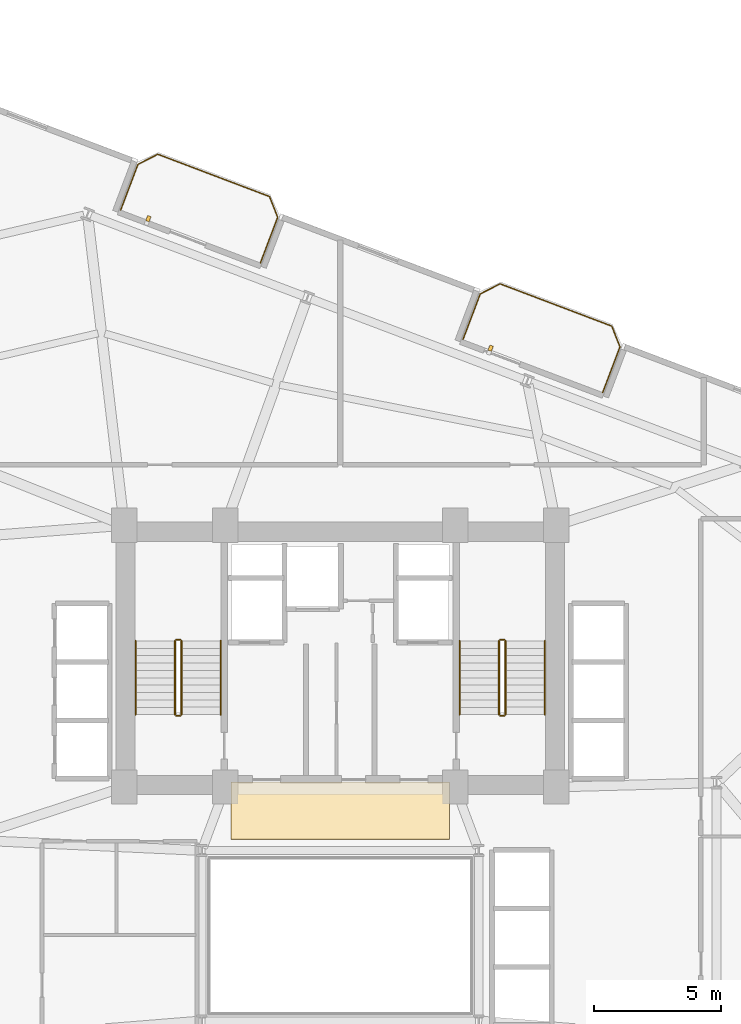
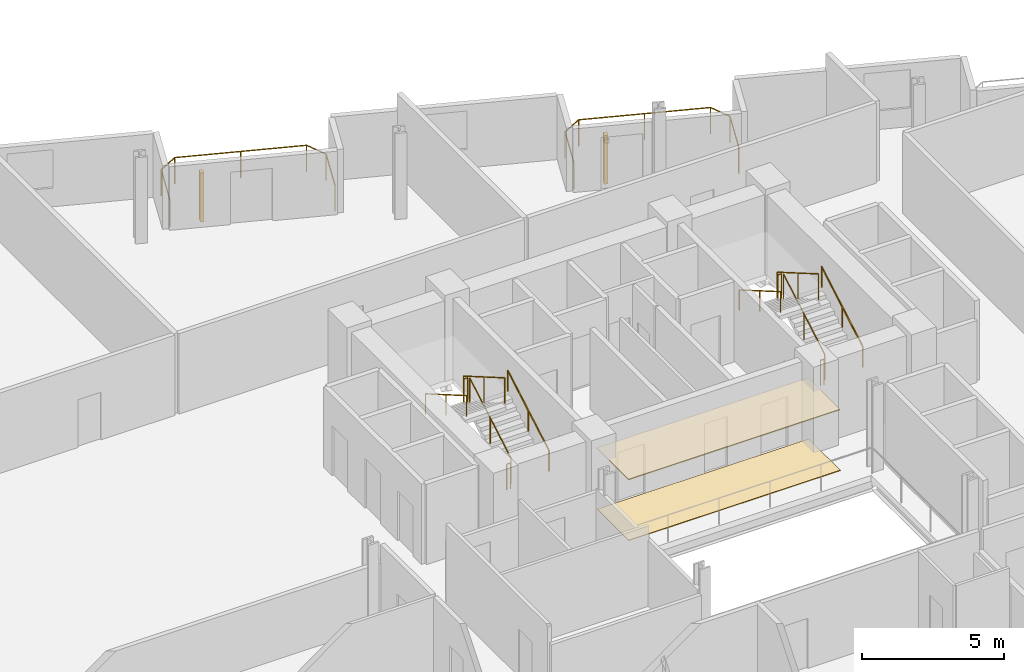
# One storey, part 24 of 25: 14 railings, 2 coverings, 2 shading devices.
"""IFC4 building model written with IfcOpenShell, lengths in metres."""

from ifc_helpers import new_model, si_unit, direction, frame, origin, origin_2d, place, context, subcontext, project, spatial, rectangle, circle, extrude, source, transform, mapped, material, layer, layer_set, type_object, element, save


model = new_model("IFC4")

# Units and contexts
model_context = context("Model", 3, precision=1e-05, world=origin(), true_north=direction((0.0, 1.0)))
body_context = subcontext(model_context, "Body", "Model", "MODEL_VIEW")
ifc_project = project(units=[si_unit("LENGTHUNIT", "METRE"), si_unit("AREAUNIT", "SQUARE_METRE"), si_unit("VOLUMEUNIT", "CUBIC_METRE"), si_unit("PLANEANGLEUNIT", "RADIAN"), si_unit("MASSUNIT", "GRAM", prefix="KILO")], contexts=[model_context])

# Site, building, storey
site_placement = place(None, origin())
site = spatial("IfcSite", under=ifc_project, at=site_placement, CompositionType="ELEMENT")
building_placement = place(site_placement, origin())
building = spatial("IfcBuilding", under=site, at=building_placement, Name="Varnelok Gate Tower", CompositionType="ELEMENT")
storey_placement = place(building_placement, frame((0.0, 0.0, 83.60009765625)))
storey = spatial("IfcBuildingStorey", under=building, at=storey_placement, Name="L20", CompositionType="ELEMENT", Elevation=83.60009765625)

# Railings
ifc_material_1 = material(Name="Low-E Laminated Double Glazing IGU", Category="glass")
railing_type_1 = type_object("IfcRailingType", Name="RL-BALC-1150", PredefinedType="BALUSTRADE", material=ifc_material_1)
railing_1_placement = place(storey_placement, frame((30.560302734375, 51.453125, 0.0)))
element("IfcRailing", 1, at=railing_1_placement, inside=storey, type_object=railing_type_1, Name="L20 North Terrace Balustrade 4", PredefinedType="BALUSTRADE", context=body_context, shape_type="SweptSolid", body=[
    extrude(circle(Radius=0.02392578125, at=origin_2d()), frame((0.0, 0.0, 1.1259765625), z_axis=(0.354006333352, 0.935243025073, 0.0), x_axis=(-0.935243025073, 0.354006333352, 0.0)), (0.0, 0.0, 1.0), 1.919921875),
    extrude(circle(Radius=0.02392578125, at=origin_2d()), frame((0.6796875, 1.795654296875, 1.1259765625), z_axis=(0.89078254773, 0.454429810487, 0.0), x_axis=(-0.454429810487, 0.89078254773, 0.0)), (0.0, 0.0, 1.0), 0.8779296875),
    extrude(circle(Radius=0.02392578125, at=origin_2d()), frame((1.461669921875, 2.194580078125, 1.1259765625), z_axis=(0.935223045203, -0.354059113314, 0.0), x_axis=(0.354059113314, 0.935223045203, 0.0)), (0.0, 0.0, 1.0), 4.699951171875),
    extrude(circle(Radius=0.02392578125, at=origin_2d()), frame((5.857177734375, 0.530517578125, 1.1259765625), z_axis=(0.366349384437, -0.930477365938, 0.0), x_axis=(0.930477365938, 0.366349384437, 0.0)), (0.0, 0.0, 1.0), 0.877685546875),
    extrude(circle(Radius=0.02392578125, at=origin_2d()), frame((6.1787109375, -0.2861328125, 1.1259765625), z_axis=(-0.354006333352, -0.935243025073, 0.0), x_axis=(0.935243025073, -0.354006333352, 0.0)), (0.0, 0.0, 1.0), 1.919921875),
    extrude(circle(Radius=0.02099609375, at=origin_2d()), origin(), (0.0, 0.0, 1.0), 1.101806640625),
    extrude(circle(Radius=0.02099609375, at=origin_2d()), frame((0.6796875, 1.795654296875, 0.0)), (0.0, 0.0, 1.0), 1.101806640625),
    extrude(circle(Radius=0.02099609375, at=origin_2d()), frame((1.461669921875, 2.194580078125, 0.0)), (0.0, 0.0, 1.0), 1.101806640625),
    extrude(circle(Radius=0.02099609375, at=origin_2d()), frame((3.659423828125, 1.362548828125, 0.0)), (0.0, 0.0, 1.0), 1.101806640625),
    extrude(circle(Radius=0.02099609375, at=origin_2d()), frame((5.857177734375, 0.530517578125, 0.0)), (0.0, 0.0, 1.0), 1.101806640625),
    extrude(circle(Radius=0.02099609375, at=origin_2d()), frame((6.1787109375, -0.2861328125, 0.0)), (0.0, 0.0, 1.0), 1.101806640625),
    extrude(circle(Radius=0.02099609375, at=origin_2d()), frame((5.4990234375, -2.081787109375, 0.0)), (0.0, 0.0, 1.0), 1.101806640625),
])
railing_2_placement = place(storey_placement, frame((44.02734375, 46.354736328125, 0.0)))
element("IfcRailing", 2, at=railing_2_placement, inside=storey, type_object=railing_type_1, Name="L20 North Terrace Balustrade 5", PredefinedType="BALUSTRADE", context=body_context, shape_type="SweptSolid", body=[
    extrude(circle(Radius=0.02392578125, at=origin_2d()), frame((0.0, 0.0, 1.1259765625), z_axis=(0.354117547856, 0.935200920819, 0.0), x_axis=(-0.935200920819, 0.354117547856, 0.0)), (0.0, 0.0, 1.0), 1.920166015625),
    extrude(circle(Radius=0.02392578125, at=origin_2d()), frame((0.679931640625, 1.795654296875, 1.1259765625), z_axis=(0.890725095116, 0.454542412686, 0.0), x_axis=(-0.454542412686, 0.890725095116, 0.0)), (0.0, 0.0, 1.0), 0.877685546875),
    extrude(circle(Radius=0.02392578125, at=origin_2d()), frame((1.461669921875, 2.194580078125, 1.1259765625), z_axis=(0.935223045203, -0.354059113314, 0.0), x_axis=(0.354059113314, 0.935223045203, 0.0)), (0.0, 0.0, 1.0), 4.699951171875),
    extrude(circle(Radius=0.02392578125, at=origin_2d()), frame((5.857177734375, 0.530517578125, 1.1259765625), z_axis=(0.366495340819, -0.93041988648, 0.0), x_axis=(0.93041988648, 0.366495340819, 0.0)), (0.0, 0.0, 1.0), 0.8779296875),
    extrude(circle(Radius=0.02392578125, at=origin_2d()), frame((6.178955078125, -0.286376953125, 1.1259765625), z_axis=(-0.354006333352, -0.935243025073, 0.0), x_axis=(0.935243025073, -0.354006333352, 0.0)), (0.0, 0.0, 1.0), 1.919921875),
    extrude(circle(Radius=0.02099609375, at=origin_2d()), origin(), (0.0, 0.0, 1.0), 1.101806640625),
    extrude(circle(Radius=0.02099609375, at=origin_2d()), frame((0.679931640625, 1.795654296875, 0.0)), (0.0, 0.0, 1.0), 1.101806640625),
    extrude(circle(Radius=0.02099609375, at=origin_2d()), frame((1.461669921875, 2.194580078125, 0.0)), (0.0, 0.0, 1.0), 1.101806640625),
    extrude(circle(Radius=0.02099609375, at=origin_2d()), frame((3.659423828125, 1.362548828125, 0.0)), (0.0, 0.0, 1.0), 1.101806640625),
    extrude(circle(Radius=0.02099609375, at=origin_2d()), frame((5.857177734375, 0.530517578125, 0.0)), (0.0, 0.0, 1.0), 1.101806640625),
    extrude(circle(Radius=0.02099609375, at=origin_2d()), frame((6.178955078125, -0.286376953125, 0.0)), (0.0, 0.0, 1.0), 1.101806640625),
    extrude(circle(Radius=0.02099609375, at=origin_2d()), frame((5.499267578125, -2.08203125, 0.0)), (0.0, 0.0, 1.0), 1.101806640625),
])
ifc_material_2 = material(Name="Brushed Stainless Steel AISI 316", Category="steel")
railing_type_2 = type_object("IfcRailingType", Name="RL-HANDRAIL-900", PredefinedType="HANDRAIL", material=ifc_material_2)
railing_3_placement = place(storey_placement, frame((34.5, 31.60009765625, 0.16796875)))
element("IfcRailing", 3, at=railing_3_placement, inside=storey, type_object=railing_type_2, Name="L20 ST-1 stair handrail 1", PredefinedType="HANDRAIL", context=body_context, shape_type="SweptSolid", body=[
    extrude(circle(Radius=0.02392578125, at=origin_2d()), frame((0.0, 0.0, 0.8759765625), z_axis=(0.0, 0.865038774852, 0.501705010941), x_axis=(-1.0, 0.0, 0.0)), (0.0, 0.0, 1.0), 3.352294921875),
    extrude(circle(Radius=0.02099609375, at=origin_2d()), origin(), (0.0, 0.0, 1.0), 0.851806640625),
    extrude(circle(Radius=0.02099609375, at=origin_2d()), frame((0.0, 1.449951171875, 0.8408203125)), (0.0, 0.0, 1.0), 0.851806640625),
    extrude(circle(Radius=0.02099609375, at=origin_2d()), frame((0.0, 2.89990234375, 1.681884765625)), (0.0, 0.0, 1.0), 0.851806640625),
])
railing_4_placement = place(storey_placement, frame((31.14990234375, 34.5, 2.01806640625)))
element("IfcRailing", 4, at=railing_4_placement, inside=storey, type_object=railing_type_2, Name="L20 ST-1 stair handrail 2", PredefinedType="HANDRAIL", context=body_context, shape_type="SweptSolid", body=[
    extrude(circle(Radius=0.02392578125, at=origin_2d()), frame((0.0, 0.0, 0.8759765625), z_axis=(0.0, -0.865038774852, 0.501705010941), x_axis=(1.0, 0.0, 0.0)), (0.0, 0.0, 1.0), 3.352294921875),
    extrude(circle(Radius=0.02099609375, at=origin_2d()), origin(), (0.0, 0.0, 1.0), 0.851806640625),
    extrude(circle(Radius=0.02099609375, at=origin_2d()), frame((0.0, -1.449951171875, 0.8408203125)), (0.0, 0.0, 1.0), 0.851806640625),
    extrude(circle(Radius=0.02099609375, at=origin_2d()), frame((0.0, -2.89990234375, 1.681884765625)), (0.0, 0.0, 1.0), 0.851806640625),
])
railing_5_placement = place(storey_placement, frame((47.25, 31.60009765625, 0.16796875)))
element("IfcRailing", 5, at=railing_5_placement, inside=storey, type_object=railing_type_2, Name="L20 ST-2 stair handrail 1", PredefinedType="HANDRAIL", context=body_context, shape_type="SweptSolid", body=[
    extrude(circle(Radius=0.02392578125, at=origin_2d()), frame((0.0, 0.0, 0.8759765625), z_axis=(0.0, 0.865038774852, 0.501705010941), x_axis=(-1.0, 0.0, 0.0)), (0.0, 0.0, 1.0), 3.352294921875),
    extrude(circle(Radius=0.02099609375, at=origin_2d()), origin(), (0.0, 0.0, 1.0), 0.851806640625),
    extrude(circle(Radius=0.02099609375, at=origin_2d()), frame((0.0, 1.449951171875, 0.8408203125)), (0.0, 0.0, 1.0), 0.851806640625),
    extrude(circle(Radius=0.02099609375, at=origin_2d()), frame((0.0, 2.89990234375, 1.681884765625)), (0.0, 0.0, 1.0), 0.851806640625),
])
railing_6_placement = place(storey_placement, frame((43.89990234375, 34.5, 2.01806640625)))
element("IfcRailing", 6, at=railing_6_placement, inside=storey, type_object=railing_type_2, Name="L20 ST-2 stair handrail 2", PredefinedType="HANDRAIL", context=body_context, shape_type="SweptSolid", body=[
    extrude(circle(Radius=0.02392578125, at=origin_2d()), frame((0.0, 0.0, 0.8759765625), z_axis=(0.0, -0.865038774852, 0.501705010941), x_axis=(1.0, 0.0, 0.0)), (0.0, 0.0, 1.0), 3.352294921875),
    extrude(circle(Radius=0.02099609375, at=origin_2d()), origin(), (0.0, 0.0, 1.0), 0.851806640625),
    extrude(circle(Radius=0.02099609375, at=origin_2d()), frame((0.0, -1.449951171875, 0.8408203125)), (0.0, 0.0, 1.0), 0.851806640625),
    extrude(circle(Radius=0.02099609375, at=origin_2d()), frame((0.0, -2.89990234375, 1.681884765625)), (0.0, 0.0, 1.0), 0.851806640625),
])
ifc_material_3 = material(Name="Galvanized Steel Grade S350GD", Category="steel")
railing_type_3 = type_object("IfcRailingType", Name="RL-STAIR-GUARD1120", PredefinedType="GUARDRAIL", material=ifc_material_3)
railing_7_placement = place(storey_placement, frame((32.949951171875, 31.60009765625, 0.16796875)))
element("IfcRailing", 7, at=railing_7_placement, inside=storey, type_object=railing_type_3, Name="L20 ST-1 stair guard 1", PredefinedType="GUARDRAIL", context=body_context, shape_type="SweptSolid", body=[
    extrude(circle(Radius=0.02392578125, at=origin_2d()), frame((0.0, 0.0, 1.09619140625), z_axis=(0.0, 0.865038774852, 0.501705010941), x_axis=(-1.0, 0.0, 0.0)), (0.0, 0.0, 1.0), 3.352294921875),
    extrude(circle(Radius=0.02099609375, at=origin_2d()), origin(), (0.0, 0.0, 1.0), 1.072021484375),
    extrude(circle(Radius=0.02099609375, at=origin_2d()), frame((0.0, 1.449951171875, 0.8408203125)), (0.0, 0.0, 1.0), 1.072021484375),
    extrude(circle(Radius=0.02099609375, at=origin_2d()), frame((0.0, 2.89990234375, 1.681884765625)), (0.0, 0.0, 1.0), 1.072021484375),
])
railing_8_placement = place(storey_placement, frame((32.89990234375, 34.550048828125, 1.849853515625)))
element("IfcRailing", 8, at=railing_8_placement, inside=storey, type_object=railing_type_3, Name="L20 ST-1 stair guard 2", PredefinedType="GUARDRAIL", context=body_context, shape_type="SweptSolid", body=[
    extrude(circle(Radius=0.02392578125, at=origin_2d()), frame((0.0, 0.0, 1.09619140625), z_axis=(-1.0, 0.0, 0.0), x_axis=(0.0, -1.0, 0.0)), (0.0, 0.0, 1.0), 0.14990234375),
    extrude(circle(Radius=0.02099609375, at=origin_2d()), origin(), (0.0, 0.0, 1.0), 1.072021484375),
    extrude(circle(Radius=0.02099609375, at=origin_2d()), frame((-0.14990234375, 0.0, 0.0)), (0.0, 0.0, 1.0), 1.072021484375),
])
railing_9_placement = place(storey_placement, frame((32.699951171875, 34.5, 2.01806640625)))
element("IfcRailing", 9, at=railing_9_placement, inside=storey, type_object=railing_type_3, Name="L20 ST-1 stair guard 3", PredefinedType="GUARDRAIL", context=body_context, shape_type="SweptSolid", body=[
    extrude(circle(Radius=0.02392578125, at=origin_2d()), frame((0.0, 0.0, 1.09619140625), z_axis=(0.0, -0.865038774852, 0.501705010941), x_axis=(1.0, 0.0, 0.0)), (0.0, 0.0, 1.0), 3.352294921875),
    extrude(circle(Radius=0.02099609375, at=origin_2d()), origin(), (0.0, 0.0, 1.0), 1.072021484375),
    extrude(circle(Radius=0.02099609375, at=origin_2d()), frame((0.0, -1.449951171875, 0.8408203125)), (0.0, 0.0, 1.0), 1.072021484375),
    extrude(circle(Radius=0.02099609375, at=origin_2d()), frame((0.0, -2.89990234375, 1.681884765625)), (0.0, 0.0, 1.0), 1.072021484375),
])
railing_10_placement = place(storey_placement, frame((32.89990234375, 31.550048828125, 0.0)))
element("IfcRailing", 10, at=railing_10_placement, inside=storey, type_object=railing_type_3, Name="L20 ST-1 stair guard 4", PredefinedType="GUARDRAIL", context=body_context, shape_type="SweptSolid", body=[
    extrude(circle(Radius=0.02392578125, at=origin_2d()), frame((0.0, 0.0, 1.09619140625), z_axis=(-1.0, 0.0, 0.0), x_axis=(0.0, -1.0, 0.0)), (0.0, 0.0, 1.0), 0.14990234375),
    extrude(circle(Radius=0.02099609375, at=origin_2d()), origin(), (0.0, 0.0, 1.0), 1.072021484375),
    extrude(circle(Radius=0.02099609375, at=origin_2d()), frame((-0.14990234375, 0.0, 0.0)), (0.0, 0.0, 1.0), 1.072021484375),
])
railing_11_placement = place(storey_placement, frame((45.699951171875, 31.60009765625, 0.16796875)))
element("IfcRailing", 11, at=railing_11_placement, inside=storey, type_object=railing_type_3, Name="L20 ST-2 stair guard 1", PredefinedType="GUARDRAIL", context=body_context, shape_type="SweptSolid", body=[
    extrude(circle(Radius=0.02392578125, at=origin_2d()), frame((0.0, 0.0, 1.09619140625), z_axis=(0.0, 0.865038774852, 0.501705010941), x_axis=(-1.0, 0.0, 0.0)), (0.0, 0.0, 1.0), 3.352294921875),
    extrude(circle(Radius=0.02099609375, at=origin_2d()), origin(), (0.0, 0.0, 1.0), 1.072021484375),
    extrude(circle(Radius=0.02099609375, at=origin_2d()), frame((0.0, 1.449951171875, 0.8408203125)), (0.0, 0.0, 1.0), 1.072021484375),
    extrude(circle(Radius=0.02099609375, at=origin_2d()), frame((0.0, 2.89990234375, 1.681884765625)), (0.0, 0.0, 1.0), 1.072021484375),
])
railing_12_placement = place(storey_placement, frame((45.64990234375, 34.550048828125, 1.849853515625)))
element("IfcRailing", 12, at=railing_12_placement, inside=storey, type_object=railing_type_3, Name="L20 ST-2 stair guard 2", PredefinedType="GUARDRAIL", context=body_context, shape_type="SweptSolid", body=[
    extrude(circle(Radius=0.02392578125, at=origin_2d()), frame((0.0, 0.0, 1.09619140625), z_axis=(-1.0, 0.0, 0.0), x_axis=(0.0, -1.0, 0.0)), (0.0, 0.0, 1.0), 0.14990234375),
    extrude(circle(Radius=0.02099609375, at=origin_2d()), origin(), (0.0, 0.0, 1.0), 1.072021484375),
    extrude(circle(Radius=0.02099609375, at=origin_2d()), frame((-0.14990234375, 0.0, 0.0)), (0.0, 0.0, 1.0), 1.072021484375),
])
railing_13_placement = place(storey_placement, frame((45.449951171875, 34.5, 2.01806640625)))
element("IfcRailing", 13, at=railing_13_placement, inside=storey, type_object=railing_type_3, Name="L20 ST-2 stair guard 3", PredefinedType="GUARDRAIL", context=body_context, shape_type="SweptSolid", body=[
    extrude(circle(Radius=0.02392578125, at=origin_2d()), frame((0.0, 0.0, 1.09619140625), z_axis=(0.0, -0.865038774852, 0.501705010941), x_axis=(1.0, 0.0, 0.0)), (0.0, 0.0, 1.0), 3.352294921875),
    extrude(circle(Radius=0.02099609375, at=origin_2d()), origin(), (0.0, 0.0, 1.0), 1.072021484375),
    extrude(circle(Radius=0.02099609375, at=origin_2d()), frame((0.0, -1.449951171875, 0.8408203125)), (0.0, 0.0, 1.0), 1.072021484375),
    extrude(circle(Radius=0.02099609375, at=origin_2d()), frame((0.0, -2.89990234375, 1.681884765625)), (0.0, 0.0, 1.0), 1.072021484375),
])
railing_14_placement = place(storey_placement, frame((45.64990234375, 31.550048828125, 0.0)))
element("IfcRailing", 14, at=railing_14_placement, inside=storey, type_object=railing_type_3, Name="L20 ST-2 stair guard 4", PredefinedType="GUARDRAIL", context=body_context, shape_type="SweptSolid", body=[
    extrude(circle(Radius=0.02392578125, at=origin_2d()), frame((0.0, 0.0, 1.09619140625), z_axis=(-1.0, 0.0, 0.0), x_axis=(0.0, -1.0, 0.0)), (0.0, 0.0, 1.0), 0.14990234375),
    extrude(circle(Radius=0.02099609375, at=origin_2d()), origin(), (0.0, 0.0, 1.0), 1.072021484375),
    extrude(circle(Radius=0.02099609375, at=origin_2d()), frame((-0.14990234375, 0.0, 0.0)), (0.0, 0.0, 1.0), 1.072021484375),
])

# Shading devices
ifc_material_4 = material(Name="Glazed Architectural Terracotta Ceramic", Category="masonry")
shading_device_type = type_object("IfcShadingDeviceType", Name="SHD-TERRA-BAGUETTE", PredefinedType="USERDEFINED", material=ifc_material_4)
shared_shape_1 = source(origin(), body_context, "Body", "SweptSolid", [
    extrude(rectangle(XDim=0.139892578125, YDim=0.219970703125, at=origin_2d()), origin(), (0.0, 0.0, 1.0), 2.10009765625),
])
for number, where, z_axis, x_axis, name in (
    (15, (31.651123046875, 51.114990234375, 0.099853515625), (0.0, 0.0, 1.0), (0.935221751401, -0.354062530786, 0.0), "L20 Terracotta Ceramic Baguette Sunscreen 4.1"),
    (16, (45.118408203125, 46.0166015625, 0.099853515625), (0.0, 0.0, 1.0), (0.935221751401, -0.354062530786, 0.0), "L20 Terracotta Ceramic Baguette Sunscreen 5.1"),
):
    element("IfcShadingDevice", number, at=place(storey_placement, frame(where, z_axis=z_axis, x_axis=x_axis)), inside=storey, type_object=shading_device_type, Name=name, ObjectType="BAGUETTE", PredefinedType="USERDEFINED", context=body_context, shape_type="MappedRepresentation", body=[
        mapped(shared_shape_1, transform((0.0, 0.0, 0.0), scale=1.0)),
    ])

# Coverings
ifc_material_5 = material(Name="Honed Travertine Stone Flooring", Category="masonry")
ifc_layer_1 = layer(ifc_material_5, 0.02490234375)
ifc_layer_set_1 = layer_set([ifc_layer_1], Name="Honed Travertine Stone Flooring")
covering_type_1 = type_object("IfcCoveringType", Name="COV-FLOR-STONE", PredefinedType="FLOORING", material=ifc_layer_set_1)
shared_shape_2 = source(origin(), body_context, "Body", "SweptSolid", [
    extrude(rectangle(XDim=8.60009765625, YDim=2.219970703125, at=origin_2d()), origin(), (0.0, 0.0, 1.0), 0.02490234375),
])
covering_1_placement = place(storey_placement, frame((39.199951171875, 27.800048828125, 0.0), z_axis=(0.0, 0.0, 1.0), x_axis=(1.0, 0.0, 0.0)))
element("IfcCovering", 17, at=covering_1_placement, inside=storey, type_object=covering_type_1, Name="L20 Core Gallery Stone Flooring", PredefinedType="FLOORING", context=body_context, shape_type="MappedRepresentation", body=[
    mapped(shared_shape_2, transform((0.0, 0.0, 0.0), scale=1.0)),
])
ifc_material_6 = material(Name="Mineral Fiber Acoustic Ceiling Tile")
ifc_layer_2 = layer(ifc_material_6, 0.0400390625)
ifc_layer_set_2 = layer_set([ifc_layer_2], Name="Mineral Fiber Acoustic Ceiling Tile")
covering_type_2 = type_object("IfcCoveringType", Name="COV-CEIL-ACOUST", PredefinedType="CEILING", material=ifc_layer_set_2)
shared_shape_3 = source(origin(), body_context, "Body", "SweptSolid", [
    extrude(rectangle(XDim=8.60009765625, YDim=2.239990234375, at=origin_2d()), origin(), (0.0, 0.0, 1.0), 0.0400390625),
])
covering_2_placement = place(storey_placement, frame((39.199951171875, 27.820068359375, 2.599853515625), z_axis=(0.0, 0.0, 1.0), x_axis=(1.0, 0.0, 0.0)))
element("IfcCovering", 18, at=covering_2_placement, inside=storey, type_object=covering_type_2, Name="L20 Core Gallery Acoustic Ceiling", PredefinedType="CEILING", context=body_context, shape_type="MappedRepresentation", body=[
    mapped(shared_shape_3, transform((0.0, 0.0, 0.0), scale=1.0)),
])

save(model, "model.ifc")
